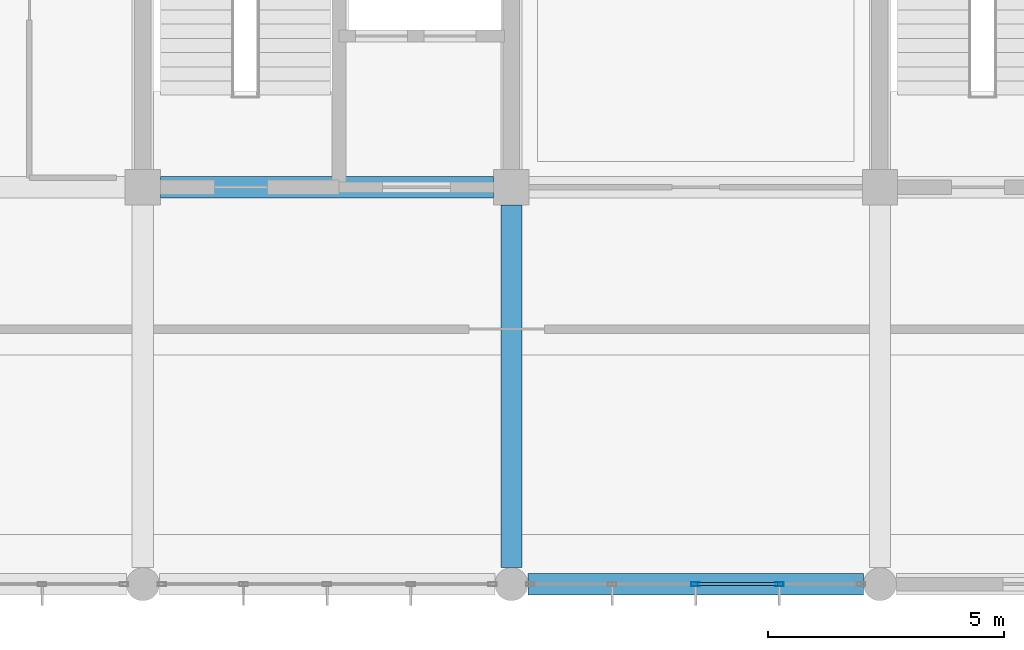
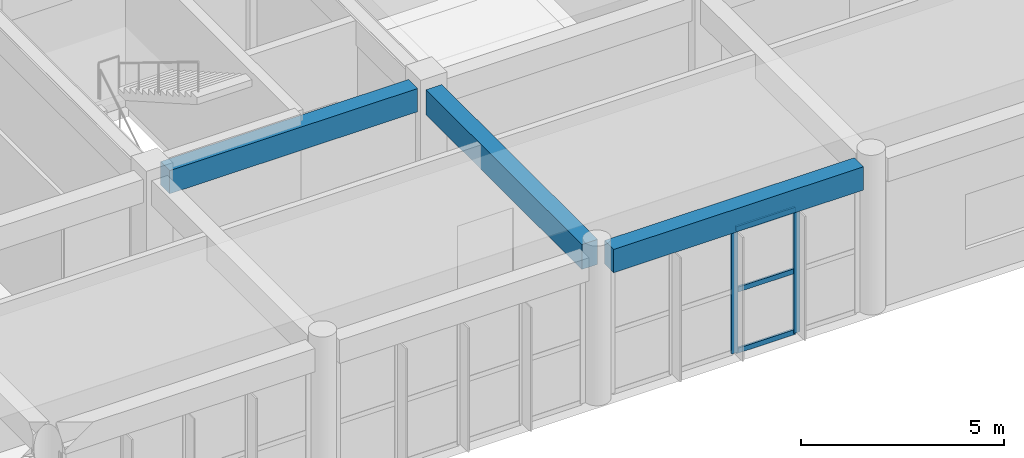
# One storey, part 25 of 167: 5 members, 3 beams, 1 element without a shape of its own.
"""IFC4 building model written with IfcOpenShell, lengths in metres."""

from ifc_helpers import new_model, si_unit, direction, frame, origin, origin_2d, place, context, subcontext, project, spatial, rectangle, hollow_rectangle, extrude, material, layer, layer_set, material_profile, profile_set, type_object, element, aggregate, save


model = new_model("IFC4")

# Units and contexts
model_context = context("Model", 3, precision=1e-05, world=origin(), true_north=direction((0.0, 1.0)))
body_context = subcontext(model_context, "Body", "Model", "MODEL_VIEW")
ifc_project = project(units=[si_unit("LENGTHUNIT", "METRE"), si_unit("AREAUNIT", "SQUARE_METRE"), si_unit("VOLUMEUNIT", "CUBIC_METRE"), si_unit("PLANEANGLEUNIT", "RADIAN"), si_unit("MASSUNIT", "GRAM", prefix="KILO")], contexts=[model_context])

# Site, building, storey
site_placement = place(None, origin())
site = spatial("IfcSite", under=ifc_project, at=site_placement, CompositionType="ELEMENT")
building_placement = place(site_placement, origin())
building = spatial("IfcBuilding", under=site, at=building_placement, Name="Zizhar Promenade General Hospital", CompositionType="ELEMENT")
storey_placement = place(building_placement, frame((0.0, 0.0, 9.60009765625)))
storey = spatial("IfcBuildingStorey", under=building, at=storey_placement, Name="L02", CompositionType="ELEMENT", Elevation=9.60009765625)

# Beams
ifc_material_1 = material(Name="Concrete C35/45", Category="concrete")
ifc_material_profile_1 = material_profile(ifc_material_1, rectangle(XDim=0.449951171875, YDim=0.699951171875, at=origin_2d()))
ifc_profile_set_1 = profile_set([ifc_material_profile_1], Name="Concrete C35/45")
beam_type_1 = type_object("IfcBeamType", Name="BM-RC-450x700", PredefinedType="BEAM", material=ifc_profile_set_1)
beam_1_placement = place(storey_placement, frame((62.77490234375, 8.39990234375, 4.119873046875), z_axis=(1.0, 0.0, 0.0), x_axis=(0.0, 1.0, 0.0)))
element("IfcBeam", 1, at=beam_1_placement, inside=storey, type_object=beam_type_1, Name="Grid Beam X L02 (8-1)", PredefinedType="BEAM", context=body_context, shape_type="SweptSolid", body=[
    extrude(rectangle(XDim=0.449951171875, YDim=0.699951171875, at=origin_2d()), origin(), (0.0, 0.0, 1.0), 7.050048828125),
])
beam_2_placement = place(storey_placement, frame((70.550048828125, 0.0, 4.119873046875), z_axis=(1.0, 0.0, 0.0), x_axis=(0.0, 1.0, 0.0)))
element("IfcBeam", 2, at=beam_2_placement, inside=storey, type_object=beam_type_1, Name="Grid Beam X L02 (9-0)", PredefinedType="BEAM", context=body_context, shape_type="SweptSolid", body=[
    extrude(rectangle(XDim=0.449951171875, YDim=0.699951171875, at=origin_2d()), origin(), (0.0, 0.0, 1.0), 7.099853515625),
])
ifc_material_2 = material(Name="Concrete C35/45", Category="concrete")
ifc_material_profile_2 = material_profile(ifc_material_2, rectangle(XDim=0.449951171875, YDim=0.75, at=origin_2d()))
ifc_profile_set_2 = profile_set([ifc_material_profile_2], Name="Concrete C35/45")
beam_type_2 = type_object("IfcBeamType", Name="BM-RC-450x750", PredefinedType="BEAM", material=ifc_profile_set_2)
beam_3_placement = place(storey_placement, frame((70.199951171875, 0.35009765625, 4.094970703125), z_axis=(0.0, 1.0, 0.0), x_axis=(-1.0, 0.0, 0.0)))
element("IfcBeam", 3, at=beam_3_placement, inside=storey, type_object=beam_type_2, Name="Grid Beam Y L02 (9-0)", PredefinedType="BEAM", context=body_context, shape_type="SweptSolid", body=[
    extrude(rectangle(XDim=0.449951171875, YDim=0.75, at=origin_2d()), origin(), (0.0, 0.0, 1.0), 7.6748046875),
])

# Curtain wall, members
ifc_material_3 = material(Name="Anodised aluminium 6063-T6 and low-E glass", Category="aluminium")
ifc_layer = layer(ifc_material_3, 0.159912109375)
ifc_layer_set = layer_set([ifc_layer], Name="Anodised aluminium 6063-T6 and low-E glass")
curtain_wall_type = type_object("IfcCurtainWallType", Name="CW-DT-MOD1", PredefinedType="NOTDEFINED", material=ifc_layer_set)
curtain_wall_placement = place(storey_placement, origin())
curtain_wall = element("IfcCurtainWall", 4, at=curtain_wall_placement, inside=storey, type_object=curtain_wall_type, Name="Riverfront Clinical Curtain Wall L02-8", PredefinedType="NOTDEFINED")
ifc_material_4 = material(Name="Anodised aluminium 6063-T6", Category="aluminium")
ifc_material_profile_3 = material_profile(ifc_material_4, hollow_rectangle(XDim=0.080078125, YDim=0.179931640625, WallThickness=0.0048828125, at=origin_2d()))
ifc_profile_set_3 = profile_set([ifc_material_profile_3], Name="Anodised aluminium 6063-T6")
member_type_1 = type_object("IfcMemberType", Name="CWM-ALU-180x80", PredefinedType="MULLION", material=ifc_profile_set_3)
member_1_placement = place(storey_placement, frame((75.8701171875, 0.0, 0.0), z_axis=(0.0, 0.0, 1.0), x_axis=(0.0, -1.0, 0.0)))
member_1 = element("IfcMember", 5, at=member_1_placement, type_object=member_type_1, Name="CW-07 mullion 2", PredefinedType="MULLION", context=body_context, shape_type="SweptSolid", body=[
    extrude(hollow_rectangle(XDim=0.080078125, YDim=0.179931640625, WallThickness=0.0048828125, at=origin_2d()), origin(), (0.0, 0.0, 1.0), 3.72998046875),
])
member_2_placement = place(storey_placement, frame((74.10009765625, 0.0, 0.0), z_axis=(0.0, 0.0, 1.0), x_axis=(0.0, -1.0, 0.0)))
member_2 = element("IfcMember", 6, at=member_2_placement, type_object=member_type_1, Name="CW-07 mullion 3", PredefinedType="MULLION", context=body_context, shape_type="SweptSolid", body=[
    extrude(hollow_rectangle(XDim=0.080078125, YDim=0.179931640625, WallThickness=0.0048828125, at=origin_2d()), origin(), (0.0, 0.0, 1.0), 3.72998046875),
])
ifc_material_5 = material(Name="Anodised aluminium 6063-T6", Category="aluminium")
ifc_material_profile_4 = material_profile(ifc_material_5, hollow_rectangle(XDim=0.06005859375, YDim=0.14990234375, WallThickness=0.00390625, at=origin_2d()))
ifc_profile_set_4 = profile_set([ifc_material_profile_4], Name="Anodised aluminium 6063-T6")
member_type_2 = type_object("IfcMemberType", Name="CWT-ALU-150x60", PredefinedType="USERDEFINED", material=ifc_profile_set_4)
member_3_placement = place(storey_placement, frame((75.830078125, 0.0, 0.02978515625), z_axis=(-1.0, 0.0, 0.0), x_axis=(0.0, -1.0, 0.0)))
member_3 = element("IfcMember", 7, at=member_3_placement, type_object=member_type_2, Name="CW-07 transom 2.1", ObjectType="TRANSOM", PredefinedType="USERDEFINED", context=body_context, shape_type="SweptSolid", body=[
    extrude(hollow_rectangle(XDim=0.06005859375, YDim=0.14990234375, WallThickness=0.00390625, at=origin_2d()), origin(), (0.0, 0.0, 1.0), 1.690185546875),
])
member_4_placement = place(storey_placement, frame((75.830078125, 0.0, 1.864990234375), z_axis=(-1.0, 0.0, 0.0), x_axis=(0.0, -1.0, 0.0)))
member_4 = element("IfcMember", 8, at=member_4_placement, type_object=member_type_2, Name="CW-07 transom 2.2", ObjectType="TRANSOM", PredefinedType="USERDEFINED", context=body_context, shape_type="SweptSolid", body=[
    extrude(hollow_rectangle(XDim=0.06005859375, YDim=0.14990234375, WallThickness=0.00390625, at=origin_2d()), origin(), (0.0, 0.0, 1.0), 1.690185546875),
])
member_5_placement = place(storey_placement, frame((75.830078125, 0.0, 3.699951171875), z_axis=(-1.0, 0.0, 0.0), x_axis=(0.0, -1.0, 0.0)))
member_5 = element("IfcMember", 9, at=member_5_placement, type_object=member_type_2, Name="CW-07 transom 2.3", ObjectType="TRANSOM", PredefinedType="USERDEFINED", context=body_context, shape_type="SweptSolid", body=[
    extrude(hollow_rectangle(XDim=0.06005859375, YDim=0.14990234375, WallThickness=0.00390625, at=origin_2d()), origin(), (0.0, 0.0, 1.0), 1.690185546875),
])
aggregate(curtain_wall, [member_1, member_2, member_3, member_4, member_5])

save(model, "model.ifc")
